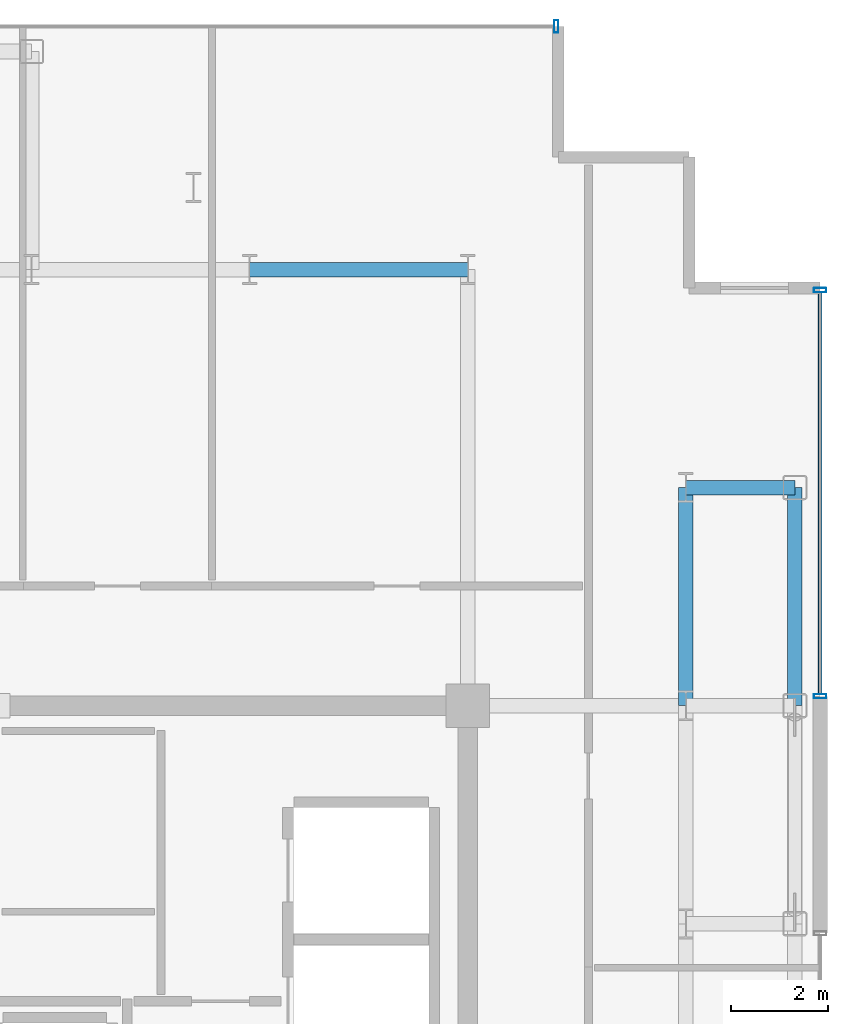
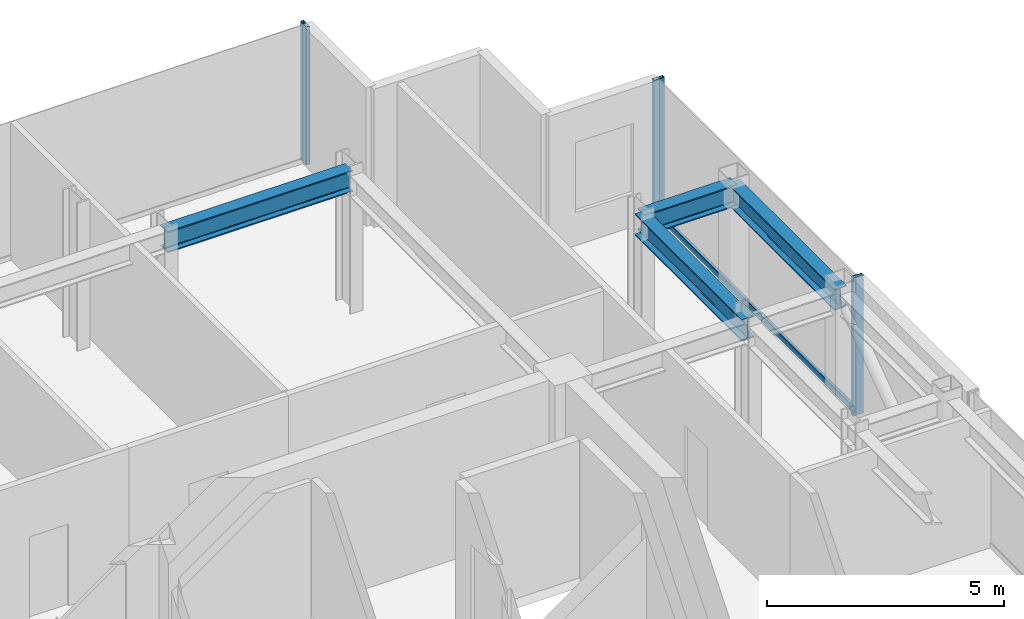
# One storey, part 9 of 16: 4 beams, 4 members, 2 elements without a shape of their own.
"""IFC4 building model written with IfcOpenShell, lengths in metres."""

from ifc_helpers import new_model, si_unit, direction, frame, origin, origin_2d, place, context, subcontext, project, spatial, hollow_rectangle, i_section, extrude, source, transform, mapped, material, layer, layer_set, material_profile, profile_set, type_object, element, aggregate, save


model = new_model("IFC4")

# Units and contexts
model_context = context("Model", 3, precision=1e-05, world=origin(), true_north=direction((0.0, 1.0)))
body_context = subcontext(model_context, "Body", "Model", "MODEL_VIEW")
ifc_project = project(units=[si_unit("LENGTHUNIT", "METRE"), si_unit("AREAUNIT", "SQUARE_METRE"), si_unit("VOLUMEUNIT", "CUBIC_METRE"), si_unit("PLANEANGLEUNIT", "RADIAN"), si_unit("MASSUNIT", "GRAM", prefix="KILO")], contexts=[model_context])

# Site, building, storey
site_placement = place(None, origin())
site = spatial("IfcSite", under=ifc_project, at=site_placement, CompositionType="ELEMENT")
building_placement = place(site_placement, origin())
building = spatial("IfcBuilding", under=site, at=building_placement, Name="Nefas-Gora Pilgrimage Tower", CompositionType="ELEMENT")
storey_placement = place(building_placement, frame((0.0, 0.0, 333.800048828125)))
storey = spatial("IfcBuildingStorey", under=building, at=storey_placement, Name="L84", CompositionType="ELEMENT", Elevation=333.800048828125)

# Beams
ifc_material_1 = material(Name="Steel S355", Category="steel")
ifc_material_profile_1 = material_profile(ifc_material_1, i_section(OverallWidth=0.300048828125, OverallDepth=0.550048828125, WebThickness=0.014892578125, FlangeThickness=0.029052734375, FilletRadius=0.027099609375, at=origin_2d()), Name="HEB 550")
ifc_profile_set_1 = profile_set([ifc_material_profile_1], Name="Steel S355")
beam_type_1 = type_object("IfcBeamType", Name="BM-SPN-HEB400", PredefinedType="SPANDREL", material=ifc_profile_set_1)
shared_shape_1 = source(origin(), body_context, "Body", "SweptSolid", [
    extrude(i_section(OverallWidth=0.300048828125, OverallDepth=0.550048828125, WebThickness=0.014892578125, FlangeThickness=0.029052734375, FilletRadius=0.027099609375, at=origin_2d()), origin(), (0.0, 0.0, 1.0), 4.5),
])
beam_1_placement = place(storey_placement, frame((18.0, 9.0, 3.27490234375), z_axis=(0.0, 1.0, 0.0), x_axis=(-1.0, 0.0, 0.0)))
element("IfcBeam", 1, at=beam_1_placement, inside=storey, type_object=beam_type_1, Name="L84 SP-04 beam", PredefinedType="SPANDREL", context=body_context, shape_type="MappedRepresentation", body=[
    mapped(shared_shape_1, transform((0.0, 0.0, 0.0), x_axis=(1.0, 0.0, 0.0), y_axis=(0.0, 1.0, 0.0), z_axis=(0.0, 0.0, 1.0), scale=1.0)),
])
ifc_material_profile_2 = material_profile(ifc_material_1, i_section(OverallWidth=0.300048828125, OverallDepth=0.550048828125, WebThickness=0.014892578125, FlangeThickness=0.029052734375, FilletRadius=0.027099609375, at=origin_2d()), Name="HEB 550")
ifc_profile_set_2 = profile_set([ifc_material_profile_2], Name="Steel S355")
beam_type_2 = type_object("IfcBeamType", Name="BM-GIR-HEB550", PredefinedType="BEAM", material=ifc_profile_set_2)
shared_shape_2 = source(origin(), body_context, "Body", "SweptSolid", [
    extrude(i_section(OverallWidth=0.300048828125, OverallDepth=0.550048828125, WebThickness=0.014892578125, FlangeThickness=0.029052734375, FilletRadius=0.027099609375, at=origin_2d()), origin(), (0.0, 0.0, 1.0), 4.5),
])
for number, where, z_axis, x_axis, name in (
    (2, (6.75, 18.0, 3.27490234375), (1.0, 0.0, 0.0), (0.0, 1.0, 0.0), "L84 G-05 beam"),
    (3, (15.75, 9.0, 3.27490234375), (0.0, 1.0, 0.0), (-1.0, 0.0, 0.0), "L84 G-05 beam"),
):
    element("IfcBeam", number, at=place(storey_placement, frame(where, z_axis=z_axis, x_axis=x_axis)), inside=storey, type_object=beam_type_2, Name=name, PredefinedType="BEAM", context=body_context, shape_type="MappedRepresentation", body=[
        mapped(shared_shape_2, transform((0.0, 0.0, 0.0), x_axis=(1.0, 0.0, 0.0), y_axis=(0.0, 1.0, 0.0), z_axis=(0.0, 0.0, 1.0), scale=1.0)),
    ])
shared_shape_3 = source(origin(), body_context, "Body", "SweptSolid", [
    extrude(i_section(OverallWidth=0.300048828125, OverallDepth=0.550048828125, WebThickness=0.014892578125, FlangeThickness=0.029052734375, FilletRadius=0.027099609375, at=origin_2d()), origin(), (0.0, 0.0, 1.0), 2.25),
])
beam_2_placement = place(storey_placement, frame((15.75, 13.5, 3.27490234375), z_axis=(1.0, 0.0, 0.0), x_axis=(0.0, 1.0, 0.0)))
element("IfcBeam", 4, at=beam_2_placement, inside=storey, type_object=beam_type_2, Name="L84 G-05 beam", PredefinedType="BEAM", context=body_context, shape_type="MappedRepresentation", body=[
    mapped(shared_shape_3, transform((0.0, 0.0, 0.0), x_axis=(1.0, 0.0, 0.0), y_axis=(0.0, 1.0, 0.0), z_axis=(0.0, 0.0, 1.0), scale=1.0)),
])

# Curtain wall, member
ifc_material_2 = material(Name="Dark ceramic-fritted solar-control aluminium-glass curtain wall", Category="aluminium")
ifc_layer = layer(ifc_material_2, 0.219970703125)
ifc_layer_set = layer_set([ifc_layer], Name="Dark ceramic-fritted solar-control aluminium-glass curtain wall")
curtain_wall_type = type_object("IfcCurtainWallType", Name="CW-SYS-4", PredefinedType="NOTDEFINED", material=ifc_layer_set)
curtain_wall_1_placement = place(storey_placement, origin())
curtain_wall_1 = element("IfcCurtainWall", 5, at=curtain_wall_1_placement, inside=storey, type_object=curtain_wall_type, Name="L84 Unitised Curtain Wall CW4", PredefinedType="NOTDEFINED")
ifc_material_3 = material(Name="Anodised architectural aluminium", Category="aluminium")
ifc_material_profile_3 = material_profile(ifc_material_3, hollow_rectangle(XDim=0.080078125, YDim=0.159912109375, WallThickness=0.00439453125, InnerFilletRadius=0.00439453125, OuterFilletRadius=0.009033203125, at=origin_2d()), Name="ALU TRANSOM 80x160")
ifc_profile_set_3 = profile_set([ifc_material_profile_3], Name="Anodised architectural aluminium")
member_type_1 = type_object("IfcMemberType", Name="CWM-TRN-4", PredefinedType="USERDEFINED", material=ifc_profile_set_3)
shared_shape_4 = source(origin(), body_context, "Body", "SweptSolid", [
    extrude(hollow_rectangle(XDim=0.080078125, YDim=0.159912109375, WallThickness=0.00439453125, InnerFilletRadius=0.00439453125, OuterFilletRadius=0.009033203125, at=origin_2d()), origin(), (0.0, 0.0, 1.0), 8.2900390625),
])
member_1_placement = place(storey_placement, frame((18.52001953125, 9.239990234375, 0.050048828125), z_axis=(0.0, 1.0, 0.0), x_axis=(-1.0, 0.0, 0.0)))
member_1 = element("IfcMember", 6, at=member_1_placement, type_object=member_type_1, Name="CW4 Spandrel Transom", ObjectType="TRANSOM", PredefinedType="USERDEFINED", context=body_context, shape_type="MappedRepresentation", body=[
    mapped(shared_shape_4, transform((0.0, 0.0, 0.0), x_axis=(1.0, 0.0, 0.0), y_axis=(0.0, 1.0, 0.0), z_axis=(0.0, 0.0, 1.0), scale=1.0)),
])

curtain_wall_2_placement = place(storey_placement, origin())
curtain_wall_2 = element("IfcCurtainWall", 7, at=curtain_wall_2_placement, inside=storey, type_object=curtain_wall_type, Name="L84 Unitised Curtain Wall CW4", PredefinedType="NOTDEFINED")
ifc_material_profile_4 = material_profile(ifc_material_3, hollow_rectangle(XDim=0.090087890625, YDim=0.260009765625, WallThickness=0.006103515625, InnerFilletRadius=0.006103515625, OuterFilletRadius=0.011962890625, at=origin_2d()), Name="ALU MULLION 90x260")
ifc_profile_set_4 = profile_set([ifc_material_profile_4], Name="Anodised architectural aluminium")
member_type_2 = type_object("IfcMemberType", Name="CWM-MUL-4", PredefinedType="MULLION", material=ifc_profile_set_4)
shared_shape_5 = source(origin(), body_context, "Body", "SweptSolid", [
    extrude(hollow_rectangle(XDim=0.090087890625, YDim=0.260009765625, WallThickness=0.006103515625, InnerFilletRadius=0.006103515625, OuterFilletRadius=0.011962890625, at=origin_2d()), origin(), (0.0, 0.0, 1.0), 3.550048828125),
])
member_2_placement = place(storey_placement, frame((13.074951171875, 23.02001953125, 0.0), z_axis=(0.0, 0.0, 1.0), x_axis=(-1.0, 0.0, 0.0)))
member_2 = element("IfcMember", 8, at=member_2_placement, type_object=member_type_2, Name="CW4 Mullion 1", PredefinedType="MULLION", context=body_context, shape_type="MappedRepresentation", body=[
    mapped(shared_shape_5, transform((0.0, 0.0, 0.0), x_axis=(1.0, 0.0, 0.0), y_axis=(0.0, 1.0, 0.0), z_axis=(0.0, 0.0, 1.0), scale=1.0)),
])
aggregate(curtain_wall_2, [member_2])

# Member
member_3_placement = place(storey_placement, frame((18.52001953125, 9.195068359375, 0.0), z_axis=(0.0, 0.0, 1.0), x_axis=(0.0, 1.0, 0.0)))
member_3 = element("IfcMember", 9, at=member_3_placement, type_object=member_type_2, Name="CW4 Mullion 1", PredefinedType="MULLION", context=body_context, shape_type="MappedRepresentation", body=[
    mapped(shared_shape_5, transform((0.0, 0.0, 0.0), x_axis=(1.0, 0.0, 0.0), y_axis=(0.0, 1.0, 0.0), z_axis=(0.0, 0.0, 1.0), scale=1.0)),
])

member_4_placement = place(storey_placement, frame((18.52001953125, 17.574951171875, 0.0), z_axis=(0.0, 0.0, 1.0), x_axis=(0.0, 1.0, 0.0)))
member_4 = element("IfcMember", 10, at=member_4_placement, type_object=member_type_2, Name="CW4 Mullion 2", PredefinedType="MULLION", context=body_context, shape_type="MappedRepresentation", body=[
    mapped(shared_shape_5, transform((0.0, 0.0, 0.0), x_axis=(1.0, 0.0, 0.0), y_axis=(0.0, 1.0, 0.0), z_axis=(0.0, 0.0, 1.0), scale=1.0)),
])

aggregate(curtain_wall_1, [member_3, member_4, member_1])

save(model, "model.ifc")
